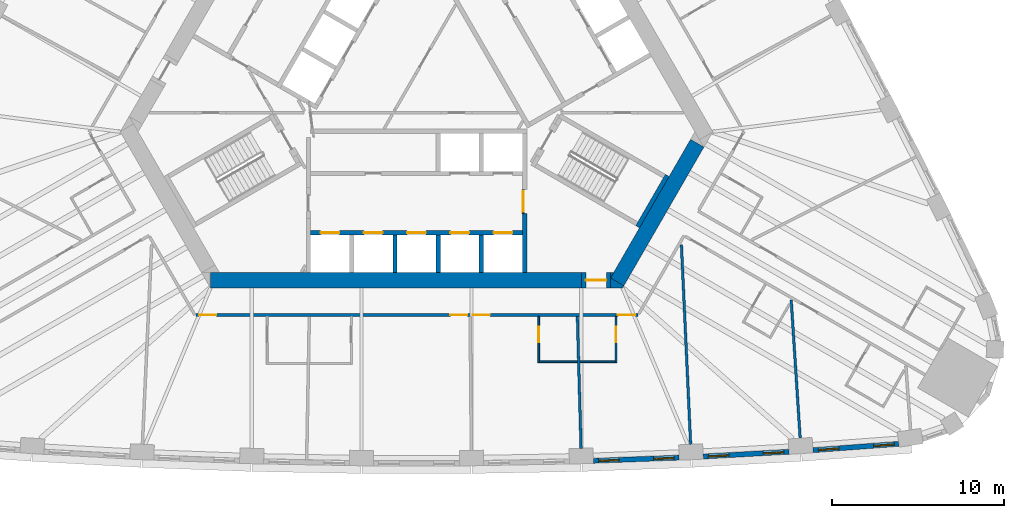
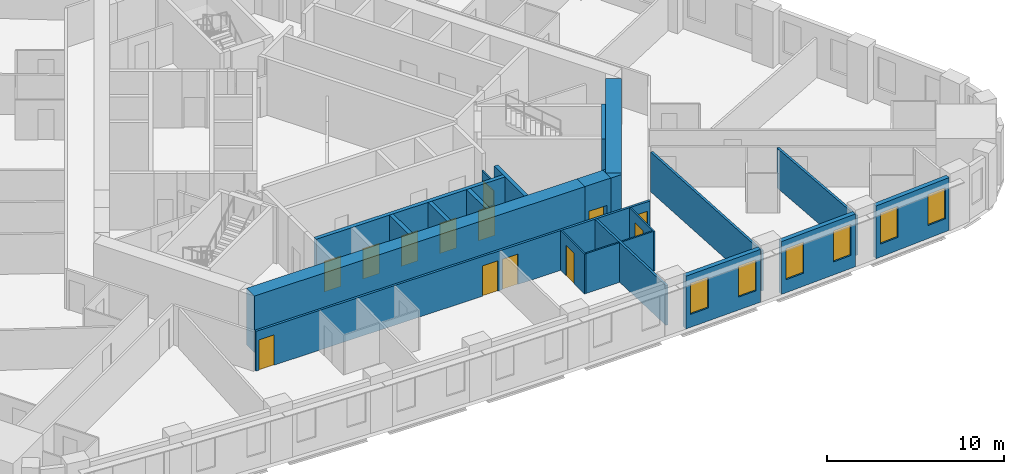
# One storey, part 6 of 13: 23 walls, 13 doors, 6 windows, 19 openings.
"""IFC4 building model written with IfcOpenShell, lengths in metres."""

import ifcopenshell
import ifcopenshell.guid

model = None  # the IFC model being written
_history = None  # IfcOwnerHistory: only IFC2X3 demands one
_inside = {}  # id of a spatial element -> (the spatial element, [elements in it])
_under = {}  # id of a project, library or spatial element -> (it, [spatial elements below it])
_declared = {}  # id of a project -> (the project, [libraries it declares])
_typed = {}  # id of a type object -> (the type object, [elements of that type])
_made_of = {}  # id of a material, layer set ... -> (it, [elements and type objects made of it])


def new_model(schema):
    """Start an empty IFC model of exactly this schema.

    Asked for "IFC4X3", IfcOpenShell would pick the latest addendum, in which some entities
    have other attributes; the version numbers below select the first issue.
    IFC2X3 requires an IfcOwnerHistory on every rooted entity: one is made here for all.
    """
    global model, _history
    if schema == "IFC4X3":
        model = ifcopenshell.file(schema_version=(4, 3, 0, 0))
    else:
        model = ifcopenshell.file(schema=schema)
    _inside.clear()
    _under.clear()
    _declared.clear()
    _typed.clear()
    _made_of.clear()
    _history = None
    if model.schema == "IFC2X3":
        org = make("IfcOrganization", Name="unknown")
        user = make(
            "IfcPersonAndOrganization",
            ThePerson=make("IfcPerson", FamilyName="unknown"),
            TheOrganization=org,
        )
        app = make(
            "IfcApplication",
            ApplicationDeveloper=org,
            Version="unknown",
            ApplicationFullName="unknown",
            ApplicationIdentifier="unknown",
        )
        _history = make(
            "IfcOwnerHistory",
            OwningUser=user,
            OwningApplication=app,
            ChangeAction="ADDED",
            CreationDate=0,
        )
    return model


def make(cls, **values):
    """One entity of the class cls with the attributes given. An attribute that is None is left unset."""
    return model.create_entity(
        cls, **{name: value for name, value in values.items() if value is not None}
    )


def rooted(cls, **values):
    """An entity with a GlobalId (a new one), such as an element, a storey or a relation."""
    return make(cls, GlobalId=ifcopenshell.guid.new(), OwnerHistory=_history, **values)


def si_unit(unit_type, name, prefix=None):
    """IfcSIUnit, for example si_unit("LENGTHUNIT", "METRE", prefix="MILLI")."""
    return make("IfcSIUnit", UnitType=unit_type, Prefix=prefix, Name=name)


def assignment(units):
    """IfcUnitAssignment: the units of a project."""
    return None if units is None else make("IfcUnitAssignment", Units=units)


def point(xyz):
    """IfcCartesianPoint."""
    return None if xyz is None else make("IfcCartesianPoint", Coordinates=xyz)


def direction(xyz):
    """IfcDirection."""
    return None if xyz is None else make("IfcDirection", DirectionRatios=xyz)


def frame(location, z_axis=None, x_axis=None):
    """IfcAxis2Placement3D, a coordinate frame: its origin and axes. An axis left out is left unset."""
    return make(
        "IfcAxis2Placement3D",
        Location=point(location),
        Axis=direction(z_axis),
        RefDirection=direction(x_axis),
    )


def frame_2d(location, x_axis=None):
    """IfcAxis2Placement2D, a coordinate frame in the plane: its origin and x axis."""
    return make(
        "IfcAxis2Placement2D", Location=point(location), RefDirection=direction(x_axis)
    )


def origin():
    """The frame at (0, 0, 0) with its axes left unset."""
    return frame((0.0, 0.0, 0.0))


def place(relative_to, where):
    """IfcLocalPlacement: puts the frame where relative to a parent placement (None: the world)."""
    return make(
        "IfcLocalPlacement", PlacementRelTo=relative_to, RelativePlacement=where
    )


def context(
    kind, dimensions, precision=None, world=None, true_north=None, identifier=None
):
    """IfcGeometricRepresentationContext, for example the 3D "Model" context."""
    return make(
        "IfcGeometricRepresentationContext",
        ContextIdentifier=identifier,
        ContextType=kind,
        CoordinateSpaceDimension=dimensions,
        Precision=precision,
        WorldCoordinateSystem=world,
        TrueNorth=true_north,
    )


def subcontext(parent, identifier, kind, view, scale=None):
    """IfcGeometricRepresentationSubContext, for example "Body" below "Model"."""
    return make(
        "IfcGeometricRepresentationSubContext",
        ContextIdentifier=identifier,
        ContextType=kind,
        ParentContext=parent,
        TargetScale=scale,
        TargetView=view,
    )


def project(units=None, contexts=None):
    """IfcProject with its units and contexts."""
    return rooted(
        "IfcProject",
        Name="project",
        RepresentationContexts=contexts,
        UnitsInContext=assignment(units),
    )


def spatial(cls, under=None, at=None, **own):
    """A site, building, storey or space (cls), placed at a placement, below another one or the project."""
    s = rooted(cls, ObjectPlacement=at, **own)
    if under is not None:
        _under.setdefault(under.id(), (under, []))[1].append(s)
    return s


def polyline(points):
    """IfcPolyline through the points."""
    return make("IfcPolyline", Points=[point(p) for p in points])


def profile(cls, at=None, kind="AREA", **sizes):
    """A parametric profile (cls). Its sizes go by their IFC names, for example OverallWidth=200.0."""
    return make(cls, ProfileType=kind, Position=at, **sizes)


def rectangle(**sizes):
    """IfcRectangleProfileDef."""
    return profile("IfcRectangleProfileDef", **sizes)


def outline(outer, holes=None, kind="AREA"):
    """IfcArbitraryClosedProfileDef: a profile drawn as a closed curve; with holes, ...WithVoids."""
    if holes is None:
        return make("IfcArbitraryClosedProfileDef", ProfileType=kind, OuterCurve=outer)
    return make(
        "IfcArbitraryProfileDefWithVoids",
        ProfileType=kind,
        OuterCurve=outer,
        InnerCurves=holes,
    )


def extrude(swept, where, along, depth):
    """IfcExtrudedAreaSolid: the profile swept, set in the frame where, extruded along a direction by depth."""
    return make(
        "IfcExtrudedAreaSolid",
        SweptArea=swept,
        Position=where,
        ExtrudedDirection=direction(along),
        Depth=depth,
    )


def shape(context_of_items, identifier, shape_type, items):
    """IfcShapeRepresentation: the items that make up one representation, for example the "Body"."""
    return make(
        "IfcShapeRepresentation",
        ContextOfItems=context_of_items,
        RepresentationIdentifier=identifier,
        RepresentationType=shape_type,
        Items=items,
    )


def material(Name=None, Category=None):
    """IfcMaterial."""
    return make("IfcMaterial", Name=Name, Category=Category)


def layer(
    of_material, thickness, ventilated=None, Name=None, Category=None, Priority=None
):
    """IfcMaterialLayer: one layer of a wall or slab, of a material (None: an air gap)."""
    return make(
        "IfcMaterialLayer",
        Material=of_material,
        LayerThickness=thickness,
        IsVentilated=ventilated,
        Name=Name,
        Category=Category,
        Priority=Priority,
    )


def layer_set(layers, Name=None):
    """IfcMaterialLayerSet."""
    return make("IfcMaterialLayerSet", MaterialLayers=layers, LayerSetName=Name)


def made_of(thing, what):
    """Note that an element or type object is made of a material, layer set ...; save() writes the relation."""
    if what is not None:
        _made_of.setdefault(what.id(), (what, []))[1].append(thing)
    return thing


def type_object(cls, material=None, **own):
    """A type object (cls), such as IfcWallType, which elements share."""
    return made_of(rooted(cls, **own), material)


def element(
    cls,
    number,
    at=None,
    inside=None,
    cuts=None,
    type_object=None,
    material=None,
    context=None,
    identifier="Body",
    shape_type=None,
    held_by="IfcProductDefinitionShape",
    body=None,
    shapes=None,
    **own,
):
    """One element of the class cls, such as IfcWall. Its Tag is "e" and its number.

    at: its placement. inside: the storey or other place that contains it. cuts: it is an
    opening in that element (IfcRelVoidsElement). A single representation is given by context,
    identifier, shape_type and body (its items); several are given by shapes. held_by: the class
    of the entity that holds the representations. save() writes the other relations.
    """
    e = rooted(cls, Tag="e%d" % number, ObjectPlacement=at, **own)
    if body is not None:
        shapes = [shape(context, identifier, shape_type, body)]
    if shapes is not None:
        e.Representation = make(held_by, Representations=shapes)
    if inside is not None:
        _inside.setdefault(inside.id(), (inside, []))[1].append(e)
    if cuts is not None:
        rooted(
            "IfcRelVoidsElement", RelatingBuildingElement=cuts, RelatedOpeningElement=e
        )
    if type_object is not None:
        _typed.setdefault(type_object.id(), (type_object, []))[1].append(e)
    return made_of(e, material)


def fill(opening, filler):
    """IfcRelFillsElement: the door or window that sits in an opening."""
    return rooted(
        "IfcRelFillsElement",
        RelatingOpeningElement=opening,
        RelatedBuildingElement=filler,
    )


def aggregate(whole, parts):
    """IfcRelAggregates: a whole, such as a stair, and the parts it consists of."""
    return rooted("IfcRelAggregates", RelatingObject=whole, RelatedObjects=parts)


def save(model, path):
    """Write the relations noted so far, then the file.

    IfcRelAggregates (storeys below a building ...), IfcRelContainedInSpatialStructure (elements
    in a storey), IfcRelDefinesByType, IfcRelAssociatesMaterial and IfcRelDeclares: one each for
    every whole, place, type object, material and project.
    """
    for whole, parts in _under.values():
        aggregate(whole, parts)
    for where, things in _inside.values():
        rooted(
            "IfcRelContainedInSpatialStructure",
            RelatedElements=things,
            RelatingStructure=where,
        )
    for kind, things in _typed.values():
        rooted("IfcRelDefinesByType", RelatedObjects=things, RelatingType=kind)
    for what, things in _made_of.values():
        rooted("IfcRelAssociatesMaterial", RelatedObjects=things, RelatingMaterial=what)
    for by, libraries in _declared.values():
        rooted("IfcRelDeclares", RelatingContext=by, RelatedDefinitions=libraries)
    model.write(path)


model = new_model("IFC4")

# Units and contexts
model_context = context("Model", 3, precision=1e-05, world=origin(), true_north=direction((0.0, 1.0)))
body_context = subcontext(model_context, "Body", "Model", "MODEL_VIEW")
ifc_project = project(units=[si_unit("LENGTHUNIT", "METRE"), si_unit("AREAUNIT", "SQUARE_METRE"), si_unit("VOLUMEUNIT", "CUBIC_METRE"), si_unit("PLANEANGLEUNIT", "RADIAN"), si_unit("MASSUNIT", "GRAM", prefix="KILO")], contexts=[model_context])

# Site, building, storey
site_placement = place(None, origin())
site = spatial("IfcSite", under=ifc_project, at=site_placement, CompositionType="ELEMENT")
building_placement = place(site_placement, origin())
building = spatial("IfcBuilding", under=site, at=building_placement, Name="Mestral Congress Tower", CompositionType="ELEMENT")
storey_placement = place(building_placement, frame((0.0, 0.0, 62.699951171875)))
storey = spatial("IfcBuildingStorey", under=building, at=storey_placement, Name="L14", CompositionType="ELEMENT", Elevation=62.699951171875)

# Wall, opening, door
ifc_material_1 = material(Name="Fire-rated board partition")
ifc_layer_1 = layer(ifc_material_1, 0.090087890625)
ifc_layer_set_1 = layer_set([ifc_layer_1], Name="Fire-rated board partition")
wall_type_1 = type_object("IfcWallType", Name="Core partition 150 door-wall 90", PredefinedType="PARTITIONING", material=ifc_layer_set_1)
wall_1_placement = place(storey_placement, frame((6.219970703125, -7.266357421875, 0.0), z_axis=(0.0, 0.0, 1.0), x_axis=(0.0, -1.0, 0.0)))
wall_1 = element("IfcWall", 1, at=wall_1_placement, inside=storey, type_object=wall_type_1, Name="L14 door wall", PredefinedType="PARTITIONING", context=body_context, shape_type="SweptSolid", body=[
    extrude(rectangle(XDim=1.400146484375, YDim=0.090087890625, at=frame_2d((0.7001953125, 0.0))), origin(), (0.0, 0.0, 1.0), 2.75),
])
opening_1_placement = place(wall_1_placement, frame((0.10009765625, 0.0, 0.0)))
opening_1 = element("IfcOpeningElement", 2, at=opening_1_placement, cuts=wall_1, Name="Opening LB0-WL1", PredefinedType="OPENING", context=body_context, shape_type="SweptSolid", body=[
    extrude(rectangle(XDim=1.199951171875, YDim=2.10009765625, at=frame_2d((0.60009765625, 1.050048828125))), frame((0.0, 0.054931640625, 0.0), z_axis=(0.0, -1.0, 0.0), x_axis=(1.0, 0.0, 0.0)), (0.0, 0.0, 1.0), 0.110107421875),
])
ifc_material_2 = material(Name="Fire-rated steel door set", Category="steel")
door_type_1 = type_object("IfcDoorType", Name="Core door LB 1200x2100", OperationType="SINGLE_SWING_LEFT", PredefinedType="DOOR", material=ifc_material_2)
door_1_placement = place(opening_1_placement, origin())
door_1 = element("IfcDoor", 3, at=door_1_placement, inside=storey, type_object=door_type_1, Name="Door LB0-WL1", OperationType="SINGLE_SWING_LEFT", OverallHeight=2.10009765625, OverallWidth=1.199951171875, PredefinedType="DOOR", context=body_context, shape_type="SweptSolid", body=[
    extrude(rectangle(XDim=1.199951171875, YDim=2.10009765625, at=frame_2d((0.60009765625, 1.050048828125))), frame((0.0, 0.02490234375, 0.0), z_axis=(0.0, -1.0, 0.0), x_axis=(1.0, 0.0, 0.0)), (0.0, 0.0, 1.0), 0.050048828125),
])
fill(opening_1, door_1)

# Walls
ifc_material_3 = material(Name="Concrete C60/75", Category="concrete")
ifc_layer_2 = layer(ifc_material_3, 0.89990234375)
ifc_layer_set_2 = layer_set([ifc_layer_2], Name="Concrete C60/75")
wall_type_2 = type_object("IfcWallType", Name="Core wall RC 900", PredefinedType="SOLIDWALL", material=ifc_layer_set_2)
wall_2_placement = place(storey_placement, frame((11.69482421875, -12.643798828125, 0.0), z_axis=(0.0, 0.0, 1.0), x_axis=(0.500010229568, 0.86601949766, 0.0)))
element("IfcWall", 4, at=wall_2_placement, inside=storey, type_object=wall_type_2, Name="L14 core wall", PredefinedType="SOLIDWALL", context=body_context, shape_type="SweptSolid", body=[
    extrude(rectangle(XDim=9.326416015625, YDim=0.89990234375, at=frame_2d((4.6630859375, 0.0))), origin(), (0.0, 0.0, 1.0), 3.900146484375),
])
placement = place(storey_placement, origin())
element("IfcWall", 5, at=placement, inside=storey, type_object=wall_type_2, Name="L14 core wall", PredefinedType="SOLIDWALL", context=body_context, shape_type="SweptSolid", body=[
    extrude(outline(polyline([(12.0087890625, -13.0), (11.31201171875, -13.0), (11.31201171875, -12.425048828125), (12.08349609375, -12.87060546875), (12.0087890625, -13.0)])), origin(), (0.0, 0.0, 1.0), 3.900146484375),
])
element("IfcWall", 6, at=placement, inside=storey, type_object=wall_type_2, Name="L14 core wall", PredefinedType="SOLIDWALL", context=body_context, shape_type="SweptSolid", body=[
    extrude(outline(polyline([(11.4892578125, -12.10009765625), (11.31201171875, -12.4072265625), (11.31201171875, -12.10009765625), (11.4892578125, -12.10009765625)])), origin(), (0.0, 0.0, 1.0), 3.900146484375),
])
wall_5_placement = place(storey_placement, frame((-12.0185546875, -12.550048828125, 0.0), z_axis=(0.0, 0.0, 1.0), x_axis=(1.0, 0.0, 0.0)))
element("IfcWall", 7, at=wall_5_placement, inside=storey, type_object=wall_type_2, Name="L14 core wall", PredefinedType="SOLIDWALL", context=body_context, shape_type="SweptSolid", body=[
    extrude(rectangle(XDim=21.63037109375, YDim=0.89990234375, at=frame_2d((10.815185546875, 0.0))), origin(), (0.0, 0.0, 1.0), 3.900146484375),
])

# Wall, opening, door
wall_6_placement = place(storey_placement, frame((11.311767578125, -12.550048828125, 0.0), z_axis=(0.0, 0.0, 1.0), x_axis=(-1.0, 0.0, 0.0)))
wall_6 = element("IfcWall", 8, at=wall_6_placement, inside=storey, type_object=wall_type_2, Name="L14 door wall", PredefinedType="SOLIDWALL", context=body_context, shape_type="SweptSolid", body=[
    extrude(rectangle(XDim=1.699951171875, YDim=0.89990234375, at=frame_2d((0.85009765625, 0.0))), origin(), (0.0, 0.0, 1.0), 3.900146484375),
])
opening_2_placement = place(wall_6_placement, frame((0.25, 0.0, 0.0)))
opening_2 = element("IfcOpeningElement", 9, at=opening_2_placement, cuts=wall_6, Name="Opening XD1", PredefinedType="OPENING", context=body_context, shape_type="SweptSolid", body=[
    extrude(rectangle(XDim=1.199951171875, YDim=2.10009765625, at=frame_2d((0.60009765625, 1.050048828125))), frame((0.0, 0.4599609375, 0.0), z_axis=(0.0, -1.0, 0.0), x_axis=(1.0, 0.0, 0.0)), (0.0, 0.0, 1.0), 0.919921875),
])
door_type_2 = type_object("IfcDoorType", Name="Core door XD 1200x2100", OperationType="SINGLE_SWING_LEFT", PredefinedType="DOOR", material=ifc_material_2)
door_2_placement = place(opening_2_placement, origin())
door_2 = element("IfcDoor", 10, at=door_2_placement, inside=storey, type_object=door_type_2, Name="Door XD1", OperationType="SINGLE_SWING_LEFT", OverallHeight=2.10009765625, OverallWidth=1.199951171875, PredefinedType="DOOR", context=body_context, shape_type="SweptSolid", body=[
    extrude(rectangle(XDim=1.199951171875, YDim=2.10009765625, at=frame_2d((0.60009765625, 1.050048828125))), frame((0.0, 0.02490234375, 0.0), z_axis=(0.0, -1.0, 0.0), x_axis=(1.0, 0.0, 0.0)), (0.0, 0.0, 1.0), 0.050048828125),
])
fill(opening_2, door_2)

# Wall, openings, windows
ifc_material_4 = material(Name="Precast concrete C40/50 with limestone facing", Category="masonry")
ifc_layer_3 = layer(ifc_material_4, 0.2900390625)
ifc_layer_set_3 = layer_set([ifc_layer_3], Name="Precast concrete C40/50 with limestone facing")
wall_type_3 = type_object("IfcWallType", Name="Facade stone wall 290", PredefinedType="SOLIDWALL", material=ifc_layer_set_3)
wall_7_placement = place(storey_placement, frame((10.310302734375, -23.07373046875, 0.0), z_axis=(0.0, 0.0, 1.0), x_axis=(0.999317974969, 0.036926750529, 0.0)))
wall_7 = element("IfcWall", 11, at=wall_7_placement, inside=storey, type_object=wall_type_3, Name="Facade wall F0-06", PredefinedType="SOLIDWALL", context=body_context, shape_type="SweptSolid", body=[
    extrude(rectangle(XDim=4.998291015625, YDim=0.2900390625, at=frame_2d((2.4990234375, 0.0))), origin(), (0.0, 0.0, 1.0), 3.650146484375),
])
opening_3_placement = place(wall_7_placement, frame((0.297119140625, 0.0, 0.89990234375)))
opening_3 = element("IfcOpeningElement", 12, at=opening_3_placement, cuts=wall_7, Name="Opening W1", PredefinedType="OPENING", context=body_context, shape_type="SweptSolid", body=[
    extrude(rectangle(XDim=1.199951171875, YDim=2.14990234375, at=frame_2d((0.60009765625, 1.074951171875))), frame((0.0, 0.155029296875, 0.0), z_axis=(0.0, -1.0, 0.0), x_axis=(1.0, 0.0, 0.0)), (0.0, 0.0, 1.0), 0.31005859375),
])
opening_4_placement = place(wall_7_placement, frame((3.501220703125, 0.0, 0.89990234375)))
opening_4 = element("IfcOpeningElement", 13, at=opening_4_placement, cuts=wall_7, Name="Opening W1", PredefinedType="OPENING", context=body_context, shape_type="SweptSolid", body=[
    extrude(rectangle(XDim=1.199951171875, YDim=2.14990234375, at=frame_2d((0.60009765625, 1.074951171875))), frame((0.0, 0.155029296875, 0.0), z_axis=(0.0, -1.0, 0.0), x_axis=(1.0, 0.0, 0.0)), (0.0, 0.0, 1.0), 0.31005859375),
])
ifc_material_5 = material(Name="Clear low-emissivity double glazing", Category="glass")
window_type = type_object("IfcWindowType", Name="Facade punched window 1200 x 2150 sill 900", PartitioningType="DOUBLE_PANEL_VERTICAL", PredefinedType="WINDOW", material=ifc_material_5)
window_1_placement = place(opening_3_placement, origin())
window_1 = element("IfcWindow", 14, at=window_1_placement, inside=storey, type_object=window_type, Name="Window F0-06a", OverallHeight=2.14990234375, OverallWidth=1.199951171875, PartitioningType="DOUBLE_PANEL_VERTICAL", PredefinedType="WINDOW", context=body_context, shape_type="SweptSolid", body=[
    extrude(rectangle(XDim=1.199951171875, YDim=2.14990234375, at=frame_2d((0.60009765625, 1.074951171875))), frame((0.0, 0.01513671875, 0.0), z_axis=(0.0, -1.0, 0.0), x_axis=(1.0, 0.0, 0.0)), (0.0, 0.0, 1.0), 0.06005859375),
])
fill(opening_3, window_1)
window_2_placement = place(opening_4_placement, origin())
window_2 = element("IfcWindow", 15, at=window_2_placement, inside=storey, type_object=window_type, Name="Window F0-06b", OverallHeight=2.14990234375, OverallWidth=1.199951171875, PartitioningType="DOUBLE_PANEL_VERTICAL", PredefinedType="WINDOW", context=body_context, shape_type="SweptSolid", body=[
    extrude(rectangle(XDim=1.199951171875, YDim=2.14990234375, at=frame_2d((0.60009765625, 1.074951171875))), frame((0.0, 0.01513671875, 0.0), z_axis=(0.0, -1.0, 0.0), x_axis=(1.0, 0.0, 0.0)), (0.0, 0.0, 1.0), 0.06005859375),
])
fill(opening_4, window_2)

wall_8_placement = place(storey_placement, frame((16.7109375, -22.823974609375, 0.0), z_axis=(0.0, 0.0, 1.0), x_axis=(0.998464708705, 0.055391564976, 0.0)))
wall_8 = element("IfcWall", 16, at=wall_8_placement, inside=storey, type_object=wall_type_3, Name="Facade wall F0-07", PredefinedType="SOLIDWALL", context=body_context, shape_type="SweptSolid", body=[
    extrude(rectangle(XDim=4.998046875, YDim=0.2900390625, at=frame_2d((2.4990234375, 0.0))), origin(), (0.0, 0.0, 1.0), 3.650146484375),
])
opening_5_placement = place(wall_8_placement, frame((0.297119140625, 0.0, 0.89990234375)))
opening_5 = element("IfcOpeningElement", 17, at=opening_5_placement, cuts=wall_8, Name="Opening W1", PredefinedType="OPENING", context=body_context, shape_type="SweptSolid", body=[
    extrude(rectangle(XDim=1.199951171875, YDim=2.14990234375, at=frame_2d((0.60009765625, 1.074951171875))), frame((0.0, 0.155029296875, 0.0), z_axis=(0.0, -1.0, 0.0), x_axis=(1.0, 0.0, 0.0)), (0.0, 0.0, 1.0), 0.31005859375),
])
opening_6_placement = place(wall_8_placement, frame((3.501220703125, 0.0, 0.89990234375)))
opening_6 = element("IfcOpeningElement", 18, at=opening_6_placement, cuts=wall_8, Name="Opening W1", PredefinedType="OPENING", context=body_context, shape_type="SweptSolid", body=[
    extrude(rectangle(XDim=1.199951171875, YDim=2.14990234375, at=frame_2d((0.60009765625, 1.074951171875))), frame((0.0, 0.155029296875, 0.0), z_axis=(0.0, -1.0, 0.0), x_axis=(1.0, 0.0, 0.0)), (0.0, 0.0, 1.0), 0.31005859375),
])
window_3_placement = place(opening_5_placement, origin())
window_3 = element("IfcWindow", 19, at=window_3_placement, inside=storey, type_object=window_type, Name="Window F0-07a", OverallHeight=2.14990234375, OverallWidth=1.199951171875, PartitioningType="DOUBLE_PANEL_VERTICAL", PredefinedType="WINDOW", context=body_context, shape_type="SweptSolid", body=[
    extrude(rectangle(XDim=1.199951171875, YDim=2.14990234375, at=frame_2d((0.60009765625, 1.074951171875))), frame((0.0, 0.01513671875, 0.0), z_axis=(0.0, -1.0, 0.0), x_axis=(1.0, 0.0, 0.0)), (0.0, 0.0, 1.0), 0.06005859375),
])
fill(opening_5, window_3)
window_4_placement = place(opening_6_placement, origin())
window_4 = element("IfcWindow", 20, at=window_4_placement, inside=storey, type_object=window_type, Name="Window F0-07b", OverallHeight=2.14990234375, OverallWidth=1.199951171875, PartitioningType="DOUBLE_PANEL_VERTICAL", PredefinedType="WINDOW", context=body_context, shape_type="SweptSolid", body=[
    extrude(rectangle(XDim=1.199951171875, YDim=2.14990234375, at=frame_2d((0.60009765625, 1.074951171875))), frame((0.0, 0.01513671875, 0.0), z_axis=(0.0, -1.0, 0.0), x_axis=(1.0, 0.0, 0.0)), (0.0, 0.0, 1.0), 0.06005859375),
])
fill(opening_6, window_4)

wall_9_placement = place(storey_placement, frame((23.10595703125, -22.4560546875, 0.0), z_axis=(0.0, 0.0, 1.0), x_axis=(0.997266290399, 0.073891447643, 0.0)))
wall_9 = element("IfcWall", 21, at=wall_9_placement, inside=storey, type_object=wall_type_3, Name="Facade wall F0-08", PredefinedType="SOLIDWALL", context=body_context, shape_type="SweptSolid", body=[
    extrude(rectangle(XDim=5.005615234375, YDim=0.2900390625, at=frame_2d((2.5029296875, 0.0))), origin(), (0.0, 0.0, 1.0), 3.650146484375),
])
opening_7_placement = place(wall_9_placement, frame((0.31005859375, 0.0, 0.89990234375)))
opening_7 = element("IfcOpeningElement", 22, at=opening_7_placement, cuts=wall_9, Name="Opening W1", PredefinedType="OPENING", context=body_context, shape_type="SweptSolid", body=[
    extrude(rectangle(XDim=1.199951171875, YDim=2.14990234375, at=frame_2d((0.60009765625, 1.074951171875))), frame((0.0, 0.155029296875, 0.0), z_axis=(0.0, -1.0, 0.0), x_axis=(1.0, 0.0, 0.0)), (0.0, 0.0, 1.0), 0.31005859375),
])
opening_8_placement = place(wall_9_placement, frame((3.540283203125, 0.0, 0.89990234375)))
opening_8 = element("IfcOpeningElement", 23, at=opening_8_placement, cuts=wall_9, Name="Opening W1", PredefinedType="OPENING", context=body_context, shape_type="SweptSolid", body=[
    extrude(rectangle(XDim=1.199951171875, YDim=2.14990234375, at=frame_2d((0.60009765625, 1.074951171875))), frame((0.0, 0.155029296875, 0.0), z_axis=(0.0, -1.0, 0.0), x_axis=(1.0, 0.0, 0.0)), (0.0, 0.0, 1.0), 0.31005859375),
])
window_5_placement = place(opening_7_placement, origin())
window_5 = element("IfcWindow", 24, at=window_5_placement, inside=storey, type_object=window_type, Name="Window F0-08a", OverallHeight=2.14990234375, OverallWidth=1.199951171875, PartitioningType="DOUBLE_PANEL_VERTICAL", PredefinedType="WINDOW", context=body_context, shape_type="SweptSolid", body=[
    extrude(rectangle(XDim=1.199951171875, YDim=2.14990234375, at=frame_2d((0.60009765625, 1.074951171875))), frame((0.0, 0.01513671875, 0.0), z_axis=(0.0, -1.0, 0.0), x_axis=(1.0, 0.0, 0.0)), (0.0, 0.0, 1.0), 0.06005859375),
])
fill(opening_7, window_5)
window_6_placement = place(opening_8_placement, origin())
window_6 = element("IfcWindow", 25, at=window_6_placement, inside=storey, type_object=window_type, Name="Window F0-08b", OverallHeight=2.14990234375, OverallWidth=1.199951171875, PartitioningType="DOUBLE_PANEL_VERTICAL", PredefinedType="WINDOW", context=body_context, shape_type="SweptSolid", body=[
    extrude(rectangle(XDim=1.199951171875, YDim=2.14990234375, at=frame_2d((0.60009765625, 1.074951171875))), frame((0.0, 0.01513671875, 0.0), z_axis=(0.0, -1.0, 0.0), x_axis=(1.0, 0.0, 0.0)), (0.0, 0.0, 1.0), 0.06005859375),
])
fill(opening_8, window_6)

# Wall, opening, door
ifc_material_6 = material(Name="Gypsum board partition on metal studs with mineral wool", Category="composite")
ifc_layer_4 = layer(ifc_material_6, 0.10009765625)
ifc_layer_set_4 = layer_set([ifc_layer_4], Name="Gypsum board partition on metal studs with mineral wool")
wall_type_4 = type_object("IfcWallType", Name="Hotel partition wall 100", PredefinedType="PARTITIONING", material=ifc_layer_set_4)
wall_10_placement = place(storey_placement, frame((7.119140625, -14.64990234375, 0.0), z_axis=(0.0, 0.0, 1.0), x_axis=(0.0, -1.0, 0.0)))
wall_10 = element("IfcWall", 26, at=wall_10_placement, inside=storey, type_object=wall_type_4, Name="L14-h-pod04a", PredefinedType="PARTITIONING", context=body_context, shape_type="SweptSolid", body=[
    extrude(rectangle(XDim=2.7001953125, YDim=0.10009765625, at=frame_2d((1.35009765625, 0.0))), origin(), (0.0, 0.0, 1.0), 2.75),
])
opening_9_placement = place(wall_10_placement, frame((0.60009765625, 0.0, 0.0)))
opening_9 = element("IfcOpeningElement", 27, at=opening_9_placement, cuts=wall_10, Name="Opening H04-008", PredefinedType="OPENING", context=body_context, shape_type="SweptSolid", body=[
    extrude(rectangle(XDim=0.89990234375, YDim=2.10009765625, at=frame_2d((0.449951171875, 1.050048828125))), frame((0.0, 0.06005859375, 0.0), z_axis=(0.0, -1.0, 0.0), x_axis=(1.0, 0.0, 0.0)), (0.0, 0.0, 1.0), 0.1201171875),
])
ifc_material_7 = material(Name="Timber veneer door leaf in timber frame", Category="wood")
door_type_3 = type_object("IfcDoorType", Name="Bathroom door 900", OperationType="SINGLE_SWING_LEFT", PredefinedType="DOOR", material=ifc_material_7)
door_3_placement = place(opening_9_placement, origin())
door_3 = element("IfcDoor", 28, at=door_3_placement, inside=storey, type_object=door_type_3, Name="L14-h-d008", OperationType="SINGLE_SWING_LEFT", OverallHeight=2.10009765625, OverallWidth=0.89990234375, PredefinedType="DOOR", context=body_context, shape_type="SweptSolid", body=[
    extrude(rectangle(XDim=0.89990234375, YDim=2.10009765625, at=frame_2d((0.449951171875, 1.050048828125))), frame((0.0, 0.02490234375, 0.0), z_axis=(0.0, -1.0, 0.0), x_axis=(1.0, 0.0, 0.0)), (0.0, 0.0, 1.0), 0.050048828125),
])
fill(opening_9, door_3)

# Wall
wall_11_placement = place(storey_placement, frame((7.169189453125, -17.300048828125, 0.0), z_axis=(0.0, 0.0, 1.0), x_axis=(1.0, 0.0, 0.0)))
element("IfcWall", 29, at=wall_11_placement, inside=storey, type_object=wall_type_4, Name="L14-h-pod04b", PredefinedType="PARTITIONING", context=body_context, shape_type="SweptSolid", body=[
    extrude(rectangle(XDim=2.199951171875, YDim=0.10009765625, at=frame_2d((1.10009765625, 0.0))), origin(), (0.0, 0.0, 1.0), 2.75),
])

# Wall, opening, door
wall_12_placement = place(storey_placement, frame((11.626708984375, -17.35009765625, 0.0), z_axis=(0.0, 0.0, 1.0), x_axis=(0.0, 1.0, 0.0)))
wall_12 = element("IfcWall", 30, at=wall_12_placement, inside=storey, type_object=wall_type_4, Name="L14-h-pod05a", PredefinedType="PARTITIONING", context=body_context, shape_type="SweptSolid", body=[
    extrude(rectangle(XDim=2.7001953125, YDim=0.10009765625, at=frame_2d((1.35009765625, 0.0))), origin(), (0.0, 0.0, 1.0), 2.75),
])
opening_10_placement = place(wall_12_placement, frame((1.199951171875, 0.0, 0.0)))
opening_10 = element("IfcOpeningElement", 31, at=opening_10_placement, cuts=wall_12, Name="Opening H04-010", PredefinedType="OPENING", context=body_context, shape_type="SweptSolid", body=[
    extrude(rectangle(XDim=0.89990234375, YDim=2.10009765625, at=frame_2d((0.449951171875, 1.050048828125))), frame((0.0, 0.06005859375, 0.0), z_axis=(0.0, -1.0, 0.0), x_axis=(1.0, 0.0, 0.0)), (0.0, 0.0, 1.0), 0.1201171875),
])
door_4_placement = place(opening_10_placement, origin())
door_4 = element("IfcDoor", 32, at=door_4_placement, inside=storey, type_object=door_type_3, Name="L14-h-d010", OperationType="SINGLE_SWING_LEFT", OverallHeight=2.10009765625, OverallWidth=0.89990234375, PredefinedType="DOOR", context=body_context, shape_type="SweptSolid", body=[
    extrude(rectangle(XDim=0.89990234375, YDim=2.10009765625, at=frame_2d((0.449951171875, 1.050048828125))), frame((0.0, 0.02490234375, 0.0), z_axis=(0.0, -1.0, 0.0), x_axis=(1.0, 0.0, 0.0)), (0.0, 0.0, 1.0), 0.050048828125),
])
fill(opening_10, door_4)

# Wall
wall_13_placement = place(storey_placement, frame((11.57666015625, -17.300048828125, 0.0), z_axis=(0.0, 0.0, 1.0), x_axis=(-1.0, 0.0, 0.0)))
element("IfcWall", 33, at=wall_13_placement, inside=storey, type_object=wall_type_4, Name="L14-h-pod05b", PredefinedType="PARTITIONING", context=body_context, shape_type="SweptSolid", body=[
    extrude(rectangle(XDim=2.050048828125, YDim=0.10009765625, at=frame_2d((1.02490234375, 0.0))), origin(), (0.0, 0.0, 1.0), 2.75),
])

# Wall, openings, doors
ifc_layer_5 = layer(ifc_material_6, 0.14990234375)
ifc_layer_set_5 = layer_set([ifc_layer_5], Name="Gypsum board partition on metal studs with mineral wool")
wall_type_5 = type_object("IfcWallType", Name="Hotel partition wall 150", PredefinedType="PARTITIONING", material=ifc_layer_set_5)
wall_14_placement = place(storey_placement, frame((12.918212890625, -14.574951171875, 0.0), z_axis=(0.0, 0.0, 1.0), x_axis=(-1.0, 0.0, 0.0)))
wall_14 = element("IfcWall", 34, at=wall_14_placement, inside=storey, type_object=wall_type_5, Name="L14-h-cw13", PredefinedType="PARTITIONING", context=body_context, shape_type="SweptSolid", body=[
    extrude(rectangle(XDim=25.766357421875, YDim=0.14990234375, at=frame_2d((12.88330078125, 0.0))), origin(), (0.0, 0.0, 1.0), 2.75),
])
opening_11_placement = place(wall_14_placement, frame((24.58642578125, 0.0, 0.0)))
opening_11 = element("IfcOpeningElement", 35, at=opening_11_placement, cuts=wall_14, Name="Opening H04-003", PredefinedType="OPENING", context=body_context, shape_type="SweptSolid", body=[
    extrude(rectangle(XDim=1.0, YDim=2.10009765625, at=frame_2d((0.5, 1.050048828125))), frame((0.0, 0.0849609375, 0.0), z_axis=(0.0, -1.0, 0.0), x_axis=(1.0, 0.0, 0.0)), (0.0, 0.0, 1.0), 0.169921875),
])
opening_12_placement = place(wall_14_placement, frame((9.947998046875, 0.0, 0.0)))
opening_12 = element("IfcOpeningElement", 36, at=opening_12_placement, cuts=wall_14, Name="Opening H04-005", PredefinedType="OPENING", context=body_context, shape_type="SweptSolid", body=[
    extrude(rectangle(XDim=1.0, YDim=2.10009765625, at=frame_2d((0.5, 1.050048828125))), frame((0.0, 0.0849609375, 0.0), z_axis=(0.0, -1.0, 0.0), x_axis=(1.0, 0.0, 0.0)), (0.0, 0.0, 1.0), 0.169921875),
])
opening_13_placement = place(wall_14_placement, frame((8.6416015625, 0.0, 0.0)))
opening_13 = element("IfcOpeningElement", 37, at=opening_13_placement, cuts=wall_14, Name="Opening H04-007", PredefinedType="OPENING", context=body_context, shape_type="SweptSolid", body=[
    extrude(rectangle(XDim=1.0, YDim=2.10009765625, at=frame_2d((0.5, 1.050048828125))), frame((0.0, 0.0849609375, 0.0), z_axis=(0.0, -1.0, 0.0), x_axis=(1.0, 0.0, 0.0)), (0.0, 0.0, 1.0), 0.169921875),
])
opening_14_placement = place(wall_14_placement, frame((0.179931640625, 0.0, 0.0)))
opening_14 = element("IfcOpeningElement", 38, at=opening_14_placement, cuts=wall_14, Name="Opening H04-009", PredefinedType="OPENING", context=body_context, shape_type="SweptSolid", body=[
    extrude(rectangle(XDim=1.0, YDim=2.10009765625, at=frame_2d((0.5, 1.050048828125))), frame((0.0, 0.0849609375, 0.0), z_axis=(0.0, -1.0, 0.0), x_axis=(1.0, 0.0, 0.0)), (0.0, 0.0, 1.0), 0.169921875),
])
ifc_material_8 = material(Name="Timber veneer door leaf in metal frame", Category="wood")
door_type_4 = type_object("IfcDoorType", Name="Guest room entrance door 1000", OperationType="SINGLE_SWING_LEFT", PredefinedType="DOOR", material=ifc_material_8)
door_5_placement = place(opening_11_placement, origin())
door_5 = element("IfcDoor", 39, at=door_5_placement, inside=storey, type_object=door_type_4, Name="L14-h-d003", OperationType="SINGLE_SWING_RIGHT", OverallHeight=2.10009765625, OverallWidth=1.0, PredefinedType="DOOR", context=body_context, shape_type="SweptSolid", body=[
    extrude(rectangle(XDim=1.0, YDim=2.10009765625, at=frame_2d((0.5, 1.050048828125))), frame((0.0, 0.02490234375, 0.0), z_axis=(0.0, -1.0, 0.0), x_axis=(1.0, 0.0, 0.0)), (0.0, 0.0, 1.0), 0.050048828125),
])
fill(opening_11, door_5)
door_6_placement = place(opening_12_placement, origin())
door_6 = element("IfcDoor", 40, at=door_6_placement, inside=storey, type_object=door_type_4, Name="L14-h-d005", OperationType="SINGLE_SWING_LEFT", OverallHeight=2.10009765625, OverallWidth=1.0, PredefinedType="DOOR", context=body_context, shape_type="SweptSolid", body=[
    extrude(rectangle(XDim=1.0, YDim=2.10009765625, at=frame_2d((0.5, 1.050048828125))), frame((0.0, 0.02490234375, 0.0), z_axis=(0.0, -1.0, 0.0), x_axis=(1.0, 0.0, 0.0)), (0.0, 0.0, 1.0), 0.050048828125),
])
fill(opening_12, door_6)
door_7_placement = place(opening_13_placement, origin())
door_7 = element("IfcDoor", 41, at=door_7_placement, inside=storey, type_object=door_type_4, Name="L14-h-d007", OperationType="SINGLE_SWING_RIGHT", OverallHeight=2.10009765625, OverallWidth=1.0, PredefinedType="DOOR", context=body_context, shape_type="SweptSolid", body=[
    extrude(rectangle(XDim=1.0, YDim=2.10009765625, at=frame_2d((0.5, 1.050048828125))), frame((0.0, 0.02490234375, 0.0), z_axis=(0.0, -1.0, 0.0), x_axis=(1.0, 0.0, 0.0)), (0.0, 0.0, 1.0), 0.050048828125),
])
fill(opening_13, door_7)
door_8_placement = place(opening_14_placement, origin())
door_8 = element("IfcDoor", 42, at=door_8_placement, inside=storey, type_object=door_type_4, Name="L14-h-d009", OperationType="SINGLE_SWING_LEFT", OverallHeight=2.10009765625, OverallWidth=1.0, PredefinedType="DOOR", context=body_context, shape_type="SweptSolid", body=[
    extrude(rectangle(XDim=1.0, YDim=2.10009765625, at=frame_2d((0.5, 1.050048828125))), frame((0.0, 0.02490234375, 0.0), z_axis=(0.0, -1.0, 0.0), x_axis=(1.0, 0.0, 0.0)), (0.0, 0.0, 1.0), 0.050048828125),
])
fill(opening_14, door_8)

# Walls
wall_15_placement = place(storey_placement, frame((9.586181640625, -22.34521484375, 0.0), z_axis=(0.0, 0.0, 1.0), x_axis=(-0.027722115646, 0.999615668297, 0.0)))
element("IfcWall", 43, at=wall_15_placement, inside=storey, type_object=wall_type_5, Name="L14-h-pw17", PredefinedType="PARTITIONING", context=body_context, shape_type="SweptSolid", body=[
    extrude(rectangle(XDim=7.688232421875, YDim=0.14990234375, at=frame_2d((3.84423828125, 0.0))), origin(), (0.0, 0.0, 1.0), 2.75),
])
wall_16_placement = place(storey_placement, frame((15.973388671875, -22.10888671875, 0.0), z_axis=(0.0, 0.0, 1.0), x_axis=(-0.046191717129, 0.998932592955, 0.0)))
element("IfcWall", 44, at=wall_16_placement, inside=storey, type_object=wall_type_5, Name="L14-h-pw20", PredefinedType="PARTITIONING", context=body_context, shape_type="SweptSolid", body=[
    extrude(rectangle(XDim=11.638427734375, YDim=0.14990234375, at=frame_2d((5.8193359375, 0.0))), origin(), (0.0, 0.0, 1.0), 2.75),
])
wall_17_placement = place(storey_placement, frame((22.355224609375, -21.75439453125, 0.0), z_axis=(0.0, 0.0, 1.0), x_axis=(-0.064639533143, 0.997908678565, 0.0)))
element("IfcWall", 45, at=wall_17_placement, inside=storey, type_object=wall_type_5, Name="L14-h-pw23", PredefinedType="PARTITIONING", context=body_context, shape_type="SweptSolid", body=[
    extrude(rectangle(XDim=8.078857421875, YDim=0.14990234375, at=frame_2d((4.03955078125, 0.0))), origin(), (0.0, 0.0, 1.0), 2.75),
])
ifc_layer_6 = layer(ifc_material_3, 0.25)
ifc_layer_set_6 = layer_set([ifc_layer_6], Name="Concrete C60/75")
wall_type_6 = type_object("IfcWallType", Name="Shaft wall RC 250", PredefinedType="SOLIDWALL", material=ifc_layer_set_6)
wall_18_placement = place(storey_placement, frame((6.300048828125, -8.669921875, 0.0), z_axis=(0.0, 0.0, 1.0), x_axis=(0.0, -1.0, 0.0)))
element("IfcWall", 46, at=wall_18_placement, inside=storey, type_object=wall_type_6, Name="L14 core wall", PredefinedType="SOLIDWALL", context=body_context, shape_type="SweptSolid", body=[
    extrude(rectangle(XDim=3.43017578125, YDim=0.25, at=frame_2d((1.715087890625, 0.0))), origin(), (0.0, 0.0, 1.0), 3.900146484375),
])
for number, where, z_axis, x_axis, name in (
    (47, (3.780029296875, -12.10009765625, 0.0), (0.0, 0.0, 1.0), (0.0, 1.0, 0.0), "L14 core wall"),
    (48, (1.260009765625, -12.10009765625, 0.0), (0.0, 0.0, 1.0), (0.0, 1.0, 0.0), "L14 core wall"),
    (49, (-1.260009765625, -12.10009765625, 0.0), (0.0, 0.0, 1.0), (0.0, 1.0, 0.0), "L14 core wall"),
):
    element("IfcWall", number, at=place(storey_placement, frame(where, z_axis=z_axis, x_axis=x_axis)), inside=storey, type_object=wall_type_6, Name=name, PredefinedType="SOLIDWALL", context=body_context, shape_type="SweptSolid", body=[
        extrude(rectangle(XDim=2.199951171875, YDim=0.25, at=frame_2d((1.10009765625, 0.0))), origin(), (0.0, 0.0, 1.0), 3.900146484375),
    ])

# Wall, openings, doors
wall_19_placement = place(storey_placement, frame((-6.175048828125, -9.77490234375, 0.0), z_axis=(0.0, 0.0, 1.0), x_axis=(1.0, 0.0, 0.0)))
wall_19 = element("IfcWall", 50, at=wall_19_placement, inside=storey, type_object=wall_type_6, Name="L14 door wall", PredefinedType="SOLIDWALL", context=body_context, shape_type="SweptSolid", body=[
    extrude(rectangle(XDim=12.35009765625, YDim=0.25, at=frame_2d((6.175048828125, 0.0))), origin(), (0.0, 0.0, 1.0), 3.900146484375),
])
opening_15_placement = place(wall_19_placement, frame((0.5849609375, 0.0, 0.0)))
opening_15 = element("IfcOpeningElement", 51, at=opening_15_placement, cuts=wall_19, Name="Opening LD-SOA1", PredefinedType="OPENING", context=body_context, shape_type="SweptSolid", body=[
    extrude(rectangle(XDim=1.10009765625, YDim=2.10009765625, at=frame_2d((0.550048828125, 1.050048828125))), frame((0.0, 0.135009765625, 0.0), z_axis=(0.0, -1.0, 0.0), x_axis=(1.0, 0.0, 0.0)), (0.0, 0.0, 1.0), 0.27001953125),
])
opening_16_placement = place(wall_19_placement, frame((3.10498046875, 0.0, 0.0)))
opening_16 = element("IfcOpeningElement", 52, at=opening_16_placement, cuts=wall_19, Name="Opening LD-SOA2", PredefinedType="OPENING", context=body_context, shape_type="SweptSolid", body=[
    extrude(rectangle(XDim=1.10009765625, YDim=2.10009765625, at=frame_2d((0.550048828125, 1.050048828125))), frame((0.0, 0.135009765625, 0.0), z_axis=(0.0, -1.0, 0.0), x_axis=(1.0, 0.0, 0.0)), (0.0, 0.0, 1.0), 0.27001953125),
])
opening_17_placement = place(wall_19_placement, frame((5.625, 0.0, 0.0)))
opening_17 = element("IfcOpeningElement", 53, at=opening_17_placement, cuts=wall_19, Name="Opening LD-SOA3", PredefinedType="OPENING", context=body_context, shape_type="SweptSolid", body=[
    extrude(rectangle(XDim=1.10009765625, YDim=2.10009765625, at=frame_2d((0.550048828125, 1.050048828125))), frame((0.0, 0.135009765625, 0.0), z_axis=(0.0, -1.0, 0.0), x_axis=(1.0, 0.0, 0.0)), (0.0, 0.0, 1.0), 0.27001953125),
])
opening_18_placement = place(wall_19_placement, frame((8.14501953125, 0.0, 0.0)))
opening_18 = element("IfcOpeningElement", 54, at=opening_18_placement, cuts=wall_19, Name="Opening LD-SOA4", PredefinedType="OPENING", context=body_context, shape_type="SweptSolid", body=[
    extrude(rectangle(XDim=1.10009765625, YDim=2.10009765625, at=frame_2d((0.550048828125, 1.050048828125))), frame((0.0, 0.135009765625, 0.0), z_axis=(0.0, -1.0, 0.0), x_axis=(1.0, 0.0, 0.0)), (0.0, 0.0, 1.0), 0.27001953125),
])
opening_19_placement = place(wall_19_placement, frame((10.6650390625, 0.0, 0.0)))
opening_19 = element("IfcOpeningElement", 55, at=opening_19_placement, cuts=wall_19, Name="Opening LD-SOA5", PredefinedType="OPENING", context=body_context, shape_type="SweptSolid", body=[
    extrude(rectangle(XDim=1.10009765625, YDim=2.10009765625, at=frame_2d((0.550048828125, 1.050048828125))), frame((0.0, 0.135009765625, 0.0), z_axis=(0.0, -1.0, 0.0), x_axis=(1.0, 0.0, 0.0)), (0.0, 0.0, 1.0), 0.27001953125),
])
door_type_5 = type_object("IfcDoorType", Name="Core door LD 1100x2100", OperationType="DOUBLE_DOOR_SLIDING", PredefinedType="DOOR", material=ifc_material_2)
door_9_placement = place(opening_15_placement, origin())
door_9 = element("IfcDoor", 56, at=door_9_placement, inside=storey, type_object=door_type_5, Name="Door LD-SOA1", OperationType="DOUBLE_DOOR_SLIDING", OverallHeight=2.10009765625, OverallWidth=1.10009765625, PredefinedType="DOOR", context=body_context, shape_type="SweptSolid", body=[
    extrude(rectangle(XDim=1.10009765625, YDim=2.10009765625, at=frame_2d((0.550048828125, 1.050048828125))), frame((0.0, 0.02490234375, 0.0), z_axis=(0.0, -1.0, 0.0), x_axis=(1.0, 0.0, 0.0)), (0.0, 0.0, 1.0), 0.050048828125),
])
fill(opening_15, door_9)
door_10_placement = place(opening_16_placement, origin())
door_10 = element("IfcDoor", 57, at=door_10_placement, inside=storey, type_object=door_type_5, Name="Door LD-SOA2", OperationType="DOUBLE_DOOR_SLIDING", OverallHeight=2.10009765625, OverallWidth=1.10009765625, PredefinedType="DOOR", context=body_context, shape_type="SweptSolid", body=[
    extrude(rectangle(XDim=1.10009765625, YDim=2.10009765625, at=frame_2d((0.550048828125, 1.050048828125))), frame((0.0, 0.02490234375, 0.0), z_axis=(0.0, -1.0, 0.0), x_axis=(1.0, 0.0, 0.0)), (0.0, 0.0, 1.0), 0.050048828125),
])
fill(opening_16, door_10)
door_11_placement = place(opening_17_placement, origin())
door_11 = element("IfcDoor", 58, at=door_11_placement, inside=storey, type_object=door_type_5, Name="Door LD-SOA3", OperationType="DOUBLE_DOOR_SLIDING", OverallHeight=2.10009765625, OverallWidth=1.10009765625, PredefinedType="DOOR", context=body_context, shape_type="SweptSolid", body=[
    extrude(rectangle(XDim=1.10009765625, YDim=2.10009765625, at=frame_2d((0.550048828125, 1.050048828125))), frame((0.0, 0.02490234375, 0.0), z_axis=(0.0, -1.0, 0.0), x_axis=(1.0, 0.0, 0.0)), (0.0, 0.0, 1.0), 0.050048828125),
])
fill(opening_17, door_11)
door_12_placement = place(opening_18_placement, origin())
door_12 = element("IfcDoor", 59, at=door_12_placement, inside=storey, type_object=door_type_5, Name="Door LD-SOA4", OperationType="DOUBLE_DOOR_SLIDING", OverallHeight=2.10009765625, OverallWidth=1.10009765625, PredefinedType="DOOR", context=body_context, shape_type="SweptSolid", body=[
    extrude(rectangle(XDim=1.10009765625, YDim=2.10009765625, at=frame_2d((0.550048828125, 1.050048828125))), frame((0.0, 0.02490234375, 0.0), z_axis=(0.0, -1.0, 0.0), x_axis=(1.0, 0.0, 0.0)), (0.0, 0.0, 1.0), 0.050048828125),
])
fill(opening_18, door_12)
door_13_placement = place(opening_19_placement, origin())
door_13 = element("IfcDoor", 60, at=door_13_placement, inside=storey, type_object=door_type_5, Name="Door LD-SOA5", OperationType="DOUBLE_DOOR_SLIDING", OverallHeight=2.10009765625, OverallWidth=1.10009765625, PredefinedType="DOOR", context=body_context, shape_type="SweptSolid", body=[
    extrude(rectangle(XDim=1.10009765625, YDim=2.10009765625, at=frame_2d((0.550048828125, 1.050048828125))), frame((0.0, 0.02490234375, 0.0), z_axis=(0.0, -1.0, 0.0), x_axis=(1.0, 0.0, 0.0)), (0.0, 0.0, 1.0), 0.050048828125),
])
fill(opening_19, door_13)

# Wall
ifc_layer_7 = layer(ifc_material_3, 0.25)
ifc_layer_set_7 = layer_set([ifc_layer_7], Name="Concrete C60/75")
wall_type_7 = type_object("IfcWallType", Name="Stair wall RC 250", PredefinedType="SOLIDWALL", material=ifc_layer_set_7)
wall_20_placement = place(storey_placement, frame((12.885498046875, -9.431396484375, 0.0), z_axis=(0.0, 0.0, 1.0), x_axis=(0.500020560727, 0.866013532718, 0.0)))
element("IfcWall", 61, at=wall_20_placement, inside=storey, type_object=wall_type_7, Name="L14 core wall", PredefinedType="SOLIDWALL", context=body_context, shape_type="SweptSolid", body=[
    extrude(rectangle(XDim=3.449951171875, YDim=0.25, at=frame_2d((1.72509765625, 0.0))), origin(), (0.0, 0.0, 1.0), 3.900146484375),
])

save(model, "model.ifc")
